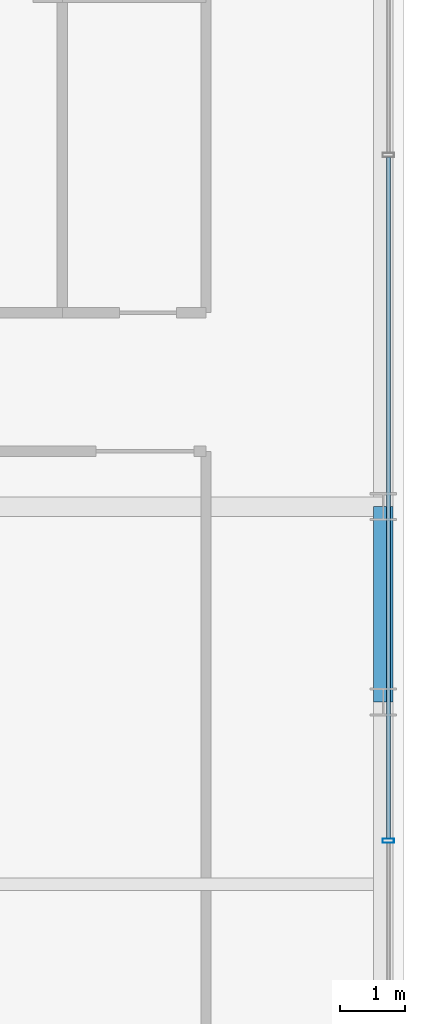
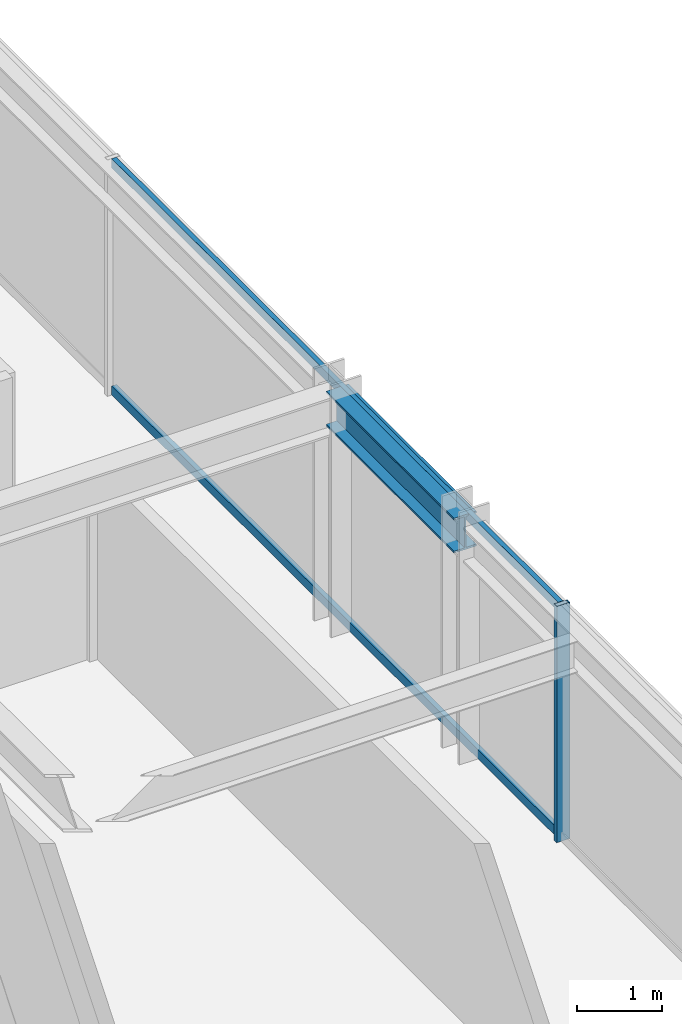
# One storey, part 15 of 32: 3 members, 1 beam, 1 element without a shape of its own.
"""IFC4 building model written with IfcOpenShell, lengths in metres."""

from ifc_helpers import new_model, si_unit, direction, frame, origin, origin_2d, place, context, subcontext, project, spatial, hollow_rectangle, i_section, extrude, source, transform, mapped, material, material_profile, profile_set, type_object, element, aggregate, save


model = new_model("IFC4")

# Units and contexts
model_context = context("Model", 3, precision=1e-05, world=origin(), true_north=direction((0.0, 1.0)))
body_context = subcontext(model_context, "Body", "Model", "MODEL_VIEW")
ifc_project = project(units=[si_unit("LENGTHUNIT", "METRE"), si_unit("AREAUNIT", "SQUARE_METRE"), si_unit("VOLUMEUNIT", "CUBIC_METRE"), si_unit("PLANEANGLEUNIT", "RADIAN"), si_unit("MASSUNIT", "GRAM", prefix="KILO")], contexts=[model_context])

# Site, building, storey
site_placement = place(None, origin())
site = spatial("IfcSite", under=ifc_project, at=site_placement, CompositionType="ELEMENT")
building_placement = place(site_placement, origin())
building = spatial("IfcBuilding", under=site, at=building_placement, Name="Nahalor Promenade Grand Hotel", CompositionType="ELEMENT")
storey_placement = place(building_placement, frame((0.0, 0.0, 124.800048828125)))
storey = spatial("IfcBuildingStorey", under=building, at=storey_placement, Name="L31", CompositionType="ELEMENT", Elevation=124.800048828125)

# Beam
ifc_material_1 = material(Name="Steel S355JR", Category="steel")
ifc_material_profile_1 = material_profile(ifc_material_1, i_section(OverallWidth=0.3, OverallDepth=0.5, WebThickness=0.0145, FlangeThickness=0.028, at=origin_2d()), Name="HEB 500")
ifc_profile_set_1 = profile_set([ifc_material_profile_1], Name="Steel S355JR")
beam_type = type_object("IfcBeamType", Name="Beam-Spandrel-HEB500", PredefinedType="SPANDREL", material=ifc_profile_set_1)
shared_shape_1 = source(origin(), body_context, "Body", "SweptSolid", [
    extrude(i_section(OverallWidth=0.3, OverallDepth=0.5, WebThickness=0.0145, FlangeThickness=0.028, at=origin_2d()), origin(), (0.0, 0.0, 1.0), 3.0),
])
beam_placement = place(storey_placement, frame((23.780029296875, -8.39990234375, 3.1298828125), z_axis=(0.0, 1.0, 0.0), x_axis=(-1.0, 0.0, 0.0)))
element("IfcBeam", 1, at=beam_placement, inside=storey, type_object=beam_type, Name="BM-L31-SP-E-1", PredefinedType="SPANDREL", context=body_context, shape_type="MappedRepresentation", body=[
    mapped(shared_shape_1, transform((0.0, 0.0, 0.0), scale=1.0)),
])

# Curtain wall, members
ifc_material_2 = material(Name="Anodised Bronze Aluminium EN AW-6063 T6", Category="aluminium")
curtain_wall_type = type_object("IfcCurtainWallType", Name="CW2 Typical Hotel Flush Bronze Unitised Curtain Wall", PredefinedType="USERDEFINED", material=ifc_material_2)
curtain_wall_placement = place(storey_placement, origin())
curtain_wall = element("IfcCurtainWall", 2, at=curtain_wall_placement, inside=storey, type_object=curtain_wall_type, Name="L31 Curtain Wall CW-L31-E-1", ObjectType="UNITISED_CURTAIN_WALL", PredefinedType="USERDEFINED")
ifc_material_profile_2 = material_profile(ifc_material_2, hollow_rectangle(XDim=0.065, YDim=0.18, WallThickness=0.004, at=origin_2d()), Name="CWM 65x180x4")
ifc_profile_set_2 = profile_set([ifc_material_profile_2], Name="Anodised Bronze Aluminium EN AW-6063 T6")
member_type_1 = type_object("IfcMemberType", Name="CWM2 Typical Bronze Mullion 65x180", PredefinedType="MULLION", material=ifc_profile_set_2)
shared_shape_2 = source(origin(), body_context, "Body", "SweptSolid", [
    extrude(hollow_rectangle(XDim=0.065, YDim=0.18, WallThickness=0.004, at=origin_2d()), origin(), (0.0, 0.0, 1.0), 3.3798828125),
])
member_1_placement = place(storey_placement, frame((23.860107421875, -10.530029296875, 0.0), z_axis=(0.0, 0.0, 1.0), x_axis=(0.0, 1.0, 0.0)))
member_1 = element("IfcMember", 3, at=member_1_placement, type_object=member_type_1, Name="CW-L31-E-1 Mullion 1", PredefinedType="MULLION", context=body_context, shape_type="MappedRepresentation", body=[
    mapped(shared_shape_2, transform((0.0, 0.0, 0.0), scale=1.0)),
])
ifc_material_profile_3 = material_profile(ifc_material_2, hollow_rectangle(XDim=0.065, YDim=0.13, WallThickness=0.004, at=origin_2d()), Name="CWT 65x130x4")
ifc_profile_set_3 = profile_set([ifc_material_profile_3], Name="Anodised Bronze Aluminium EN AW-6063 T6")
member_type_2 = type_object("IfcMemberType", Name="CWT2 Typical Bronze Transom 65x130", PredefinedType="USERDEFINED", material=ifc_profile_set_3)
shared_shape_3 = source(origin(), body_context, "Body", "SweptSolid", [
    extrude(hollow_rectangle(XDim=0.065, YDim=0.13, WallThickness=0.004, at=origin_2d()), origin(), (0.0, 0.0, 1.0), 10.465087890625),
])
member_2_placement = place(storey_placement, frame((23.860107421875, -10.49755859375, 0.06494140625), z_axis=(0.0, 1.0, 0.0), x_axis=(-1.0, 0.0, 0.0)))
member_2 = element("IfcMember", 4, at=member_2_placement, type_object=member_type_2, Name="CW-L31-E-1 Transom 1-0", ObjectType="TRANSOM", PredefinedType="USERDEFINED", context=body_context, shape_type="MappedRepresentation", body=[
    mapped(shared_shape_3, transform((0.0, 0.0, 0.0), scale=1.0)),
])
member_3_placement = place(storey_placement, frame((23.860107421875, -10.49755859375, 3.31494140625), z_axis=(0.0, 1.0, 0.0), x_axis=(-1.0, 0.0, 0.0)))
member_3 = element("IfcMember", 5, at=member_3_placement, type_object=member_type_2, Name="CW-L31-E-1 Transom 1-1", ObjectType="TRANSOM", PredefinedType="USERDEFINED", context=body_context, shape_type="MappedRepresentation", body=[
    mapped(shared_shape_3, transform((0.0, 0.0, 0.0), scale=1.0)),
])
aggregate(curtain_wall, [member_1, member_2, member_3])

save(model, "model.ifc")
